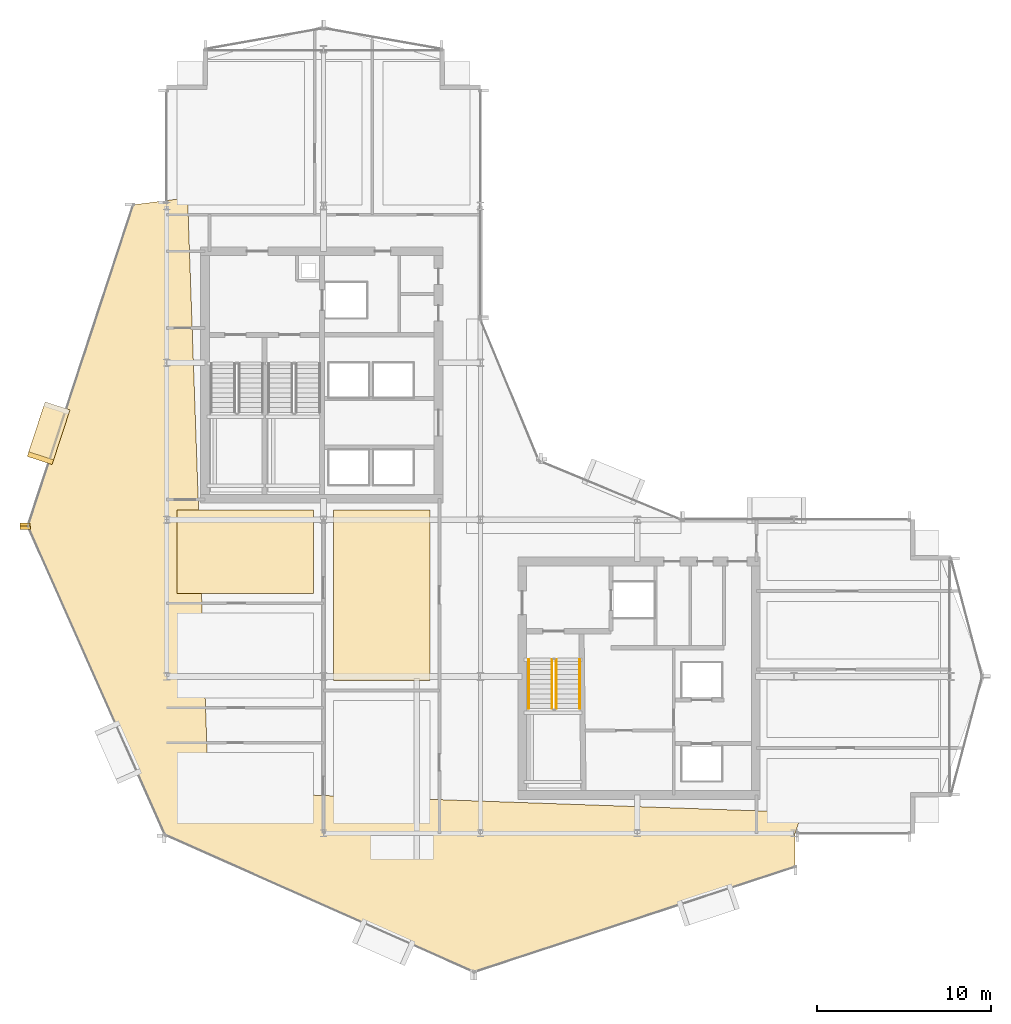
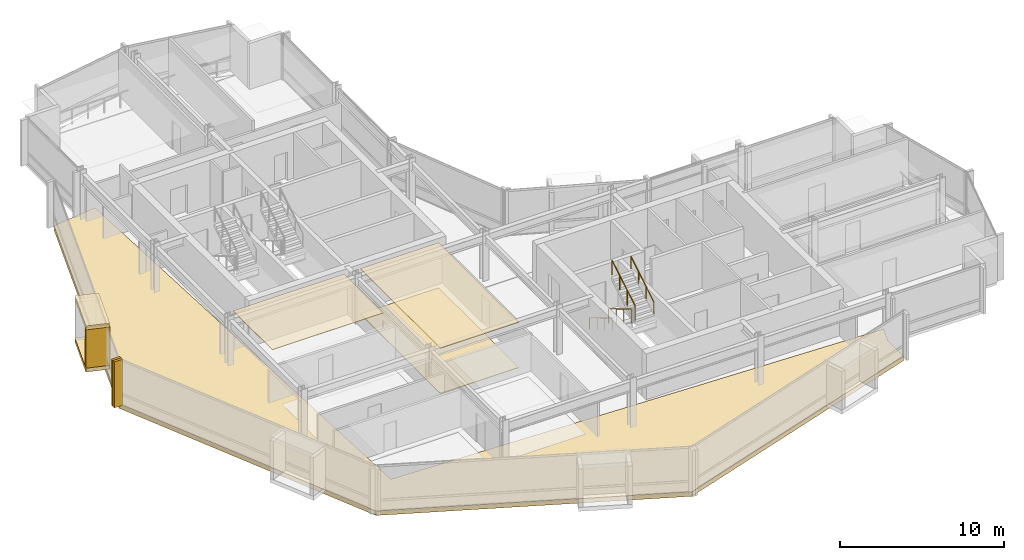
# One storey, part 26 of 29: 9 coverings, 4 railings.
"""IFC4 building model written with IfcOpenShell, lengths in metres."""

from ifc_helpers import new_model, si_unit, direction, frame, origin, origin_2d, place, context, subcontext, project, spatial, polyline, rectangle, circle, outline, extrude, material, layer, layer_set, type_object, element, save


model = new_model("IFC4")

# Units and contexts
model_context = context("Model", 3, precision=1e-05, world=origin(), true_north=direction((0.0, 1.0)))
body_context = subcontext(model_context, "Body", "Model", "MODEL_VIEW")
ifc_project = project(units=[si_unit("LENGTHUNIT", "METRE"), si_unit("AREAUNIT", "SQUARE_METRE"), si_unit("VOLUMEUNIT", "CUBIC_METRE"), si_unit("PLANEANGLEUNIT", "RADIAN"), si_unit("MASSUNIT", "GRAM", prefix="KILO")], contexts=[model_context])

# Site, building, storey
site_placement = place(None, origin())
site = spatial("IfcSite", under=ifc_project, at=site_placement, CompositionType="ELEMENT")
building_placement = place(site_placement, origin())
building = spatial("IfcBuilding", under=site, at=building_placement, Name="Solvaryn Broadcast Tower", CompositionType="ELEMENT")
storey_placement = place(building_placement, frame((0.0, 0.0, 139.60009765625)))
storey = spatial("IfcBuildingStorey", under=building, at=storey_placement, Name="L34", CompositionType="ELEMENT", Elevation=139.60009765625)

# Coverings
ifc_material_1 = material(Name="Micro-Perforated Acoustic Gypsum Ceiling", Category="concrete")
ifc_layer_1 = layer(ifc_material_1, 0.0400390625)
ifc_layer_set_1 = layer_set([ifc_layer_1], Name="CV-CEIL-ACOUSTIC")
covering_type_1 = type_object("IfcCoveringType", Name="CV-CEIL-ACOUSTIC", PredefinedType="CEILING", material=ifc_layer_set_1)
covering_1_placement = place(storey_placement, frame((0.0, 0.0, 3.3798828125)))
element("IfcCovering", 1, at=covering_1_placement, inside=storey, type_object=covering_type_1, Name="L34 Room Acoustic Ceiling 2", PredefinedType="CEILING", context=body_context, shape_type="SweptSolid", body=[
    extrude(outline(polyline([(18.570068359375, 17.77001953125), (24.10009765625, 17.77001953125), (24.10009765625, 27.56005859375), (18.570068359375, 27.56005859375), (18.570068359375, 17.77001953125)])), origin(), (0.0, 0.0, 1.0), 0.0400390625),
])
covering_2_placement = place(storey_placement, frame((0.0, 0.0, 3.3798828125)))
element("IfcCovering", 2, at=covering_2_placement, inside=storey, type_object=covering_type_1, Name="L34 Room Acoustic Ceiling 5", PredefinedType="CEILING", context=body_context, shape_type="SweptSolid", body=[
    extrude(outline(polyline([(9.60009765625, 22.77001953125), (17.429931640625, 22.77001953125), (17.429931640625, 27.56005859375), (9.60009765625, 27.56005859375), (9.60009765625, 22.77001953125)])), origin(), (0.0, 0.0, 1.0), 0.0400390625),
])
ifc_material_2 = material(Name="Newsroom Raised Data Access Flooring", Category="steel")
ifc_layer_2 = layer(ifc_material_2, 0.050048828125)
ifc_layer_set_2 = layer_set([ifc_layer_2], Name="CV-FLOOR-RAISED")
covering_type_2 = type_object("IfcCoveringType", Name="CV-FLOOR-RAISED", PredefinedType="FLOORING", material=ifc_layer_set_2)
covering_3_placement = place(storey_placement, origin())
element("IfcCovering", 3, at=covering_3_placement, inside=storey, type_object=covering_type_2, Name="L34 Room Acoustic Floor Finish 2", PredefinedType="FLOORING", context=body_context, shape_type="SweptSolid", body=[
    extrude(outline(polyline([(18.570068359375, 17.77001953125), (24.10009765625, 17.77001953125), (24.10009765625, 27.56005859375), (18.570068359375, 27.56005859375), (18.570068359375, 17.77001953125)])), origin(), (0.0, 0.0, 1.0), 0.0498046875),
])
ifc_material_3 = material(Name="Glazed Architectural Terracotta Rainscreen Cladding", Category="masonry")
ifc_layer_3 = layer(ifc_material_3, 0.280029296875)
ifc_layer_set_3 = layer_set([ifc_layer_3], Name="CV-TC-CLAD")
covering_type_3 = type_object("IfcCoveringType", Name="CV-TC-CLAD", PredefinedType="CLADDING", material=ifc_layer_set_3)
for number, where, z_axis, x_axis, name in (
    (4, (2.222900390625, 31.9619140625, 3.1298828125), (0.0, 0.0, 1.0), (-0.311671636848, -0.950189870912, 0.0), "L34 Projecting Stone Window Box Hood 1"),
    (5, (2.222900390625, 31.9619140625, -0.01025390625), (0.0, 0.0, 1.0), (-0.311671636848, -0.950189870912, 0.0), "L34 Projecting Stone Window Box Sill 1"),
):
    element("IfcCovering", number, at=place(storey_placement, frame(where, z_axis=z_axis, x_axis=x_axis)), inside=storey, type_object=covering_type_3, Name=name, PredefinedType="CLADDING", context=body_context, shape_type="SweptSolid", body=[
        extrude(rectangle(XDim=3.300048828125, YDim=1.5, at=origin_2d()), origin(), (0.0, 0.0, 1.0), 0.300048828125),
    ])
covering_4_placement = place(storey_placement, frame((1.75244140625, 30.527099609375, 0.27978515625), z_axis=(0.0, 0.0, 1.0), x_axis=(-0.311671636848, -0.950189870912, 0.0)))
element("IfcCovering", 6, at=covering_4_placement, inside=storey, type_object=covering_type_3, Name="L34 Projecting Stone Window Box Cheek 1-2", PredefinedType="CLADDING", context=body_context, shape_type="SweptSolid", body=[
    extrude(rectangle(XDim=0.280029296875, YDim=1.5, at=origin_2d()), origin(), (0.0, 0.0, 1.0), 2.860107421875),
])
ifc_material_4 = material(Name="Extruded Architectural Terracotta Fin", Category="masonry")
ifc_layer_4 = layer(ifc_material_4, 0.179931640625)
ifc_layer_set_4 = layer_set([ifc_layer_4], Name="CV-TC-FIN")
covering_type_4 = type_object("IfcCoveringType", Name="CV-TC-FIN", PredefinedType="USERDEFINED", material=ifc_layer_set_4)
for number, where, z_axis, x_axis, name in (
    (7, (0.872314453125, 26.720703125, 0.0), (0.0, 0.0, 1.0), (1.0, 0.0, 0.0), "L34 Terracotta Vertical Fin FIN-L34-DR1-M01"),
    (8, (0.8818359375, 26.535888671875, 0.0), (0.0, 0.0, 1.0), (1.0, 0.0, 0.0), "L34 Terracotta Vertical Fin FIN-L34-DR2-M00"),
):
    element("IfcCovering", number, at=place(storey_placement, frame(where, z_axis=z_axis, x_axis=x_axis)), inside=storey, type_object=covering_type_4, Name=name, ObjectType="FIN", PredefinedType="USERDEFINED", context=body_context, shape_type="SweptSolid", body=[
        extrude(rectangle(XDim=0.580078125, YDim=0.179931640625, at=origin_2d()), origin(), (0.0, 0.0, 1.0), 3.419921875),
    ])
ifc_material_5 = material(Name="Sculpted Architectural Terracotta Wave Fascia", Category="masonry")
ifc_layer_5 = layer(ifc_material_5, 0.340087890625)
ifc_layer_set_5 = layer_set([ifc_layer_5], Name="CV-WAVE-TRAY")
covering_type_5 = type_object("IfcCoveringType", Name="CV-WAVE-TRAY", PredefinedType="CLADDING", material=ifc_layer_set_5)
covering_5_placement = place(storey_placement, frame((0.0, 0.0, -0.300048828125)))
element("IfcCovering", 9, at=covering_5_placement, inside=storey, type_object=covering_type_5, Name="L34 Stepped Cylindrical Drum Floor Apron", PredefinedType="CLADDING", context=body_context, shape_type="SweptSolid", body=[
    extrude(outline(polyline([(10.199951171875, 45.467041015625), (7.0791015625, 45.06689453125), (1.033935546875, 26.635986328125), (8.907958984375, 8.907958984375), (26.635986328125, 1.033935546875), (45.06689453125, 7.0791015625), (45.06689453125, 9.0), (45.467041015625, 10.199951171875), (11.39990234375, 11.39990234375), (10.199951171875, 45.467041015625)])), origin(), (0.0, 0.0, 1.0), 0.329833984375),
])

# Railings
ifc_material_6 = material(Name="Painted Steel Stair Well Guard", Category="steel")
railing_type_1 = type_object("IfcRailingType", Name="RL-STAIR-GUARD", PredefinedType="BALUSTRADE", material=ifc_material_6)
railing_1_placement = place(storey_placement, frame((31.110107421875, 18.9599609375, 0.16796875)))
element("IfcRailing", 10, at=railing_1_placement, inside=storey, type_object=railing_type_1, Name="L34 ST3 stair guard 1", PredefinedType="BALUSTRADE", context=body_context, shape_type="SweptSolid", body=[
    extrude(circle(Radius=0.02392578125, at=origin_2d()), frame((0.0, 0.0, 1.076171875), z_axis=(0.0, -0.857242210791, 0.514913383045), x_axis=(1.0, 0.0, 0.0)), (0.0, 0.0, 1.0), 3.266357421875),
    extrude(circle(Radius=0.02099609375, at=origin_2d()), origin(), (0.0, 0.0, 1.0), 1.052001953125),
    extrude(circle(Radius=0.02099609375, at=origin_2d()), frame((0.0, -0.933349609375, 0.560546875)), (0.0, 0.0, 1.0), 1.052001953125),
    extrude(circle(Radius=0.02099609375, at=origin_2d()), frame((0.0, -1.86669921875, 1.121337890625)), (0.0, 0.0, 1.0), 1.052001953125),
    extrude(circle(Radius=0.02099609375, at=origin_2d()), frame((0.0, -2.800048828125, 1.681884765625)), (0.0, 0.0, 1.0), 1.052001953125),
])
railing_2_placement = place(storey_placement, frame((31.360107421875, 16.159912109375, 2.01806640625)))
element("IfcRailing", 11, at=railing_2_placement, inside=storey, type_object=railing_type_1, Name="L34 ST3 stair guard 3", PredefinedType="BALUSTRADE", context=body_context, shape_type="SweptSolid", body=[
    extrude(circle(Radius=0.02392578125, at=origin_2d()), frame((0.0, 0.0, 1.076171875), z_axis=(0.0, 0.857242210791, 0.514913383045), x_axis=(-1.0, 0.0, 0.0)), (0.0, 0.0, 1.0), 3.266357421875),
    extrude(circle(Radius=0.02099609375, at=origin_2d()), origin(), (0.0, 0.0, 1.0), 1.052001953125),
    extrude(circle(Radius=0.02099609375, at=origin_2d()), frame((0.0, 0.933349609375, 0.560546875)), (0.0, 0.0, 1.0), 1.052001953125),
    extrude(circle(Radius=0.02099609375, at=origin_2d()), frame((0.0, 1.86669921875, 1.121337890625)), (0.0, 0.0, 1.0), 1.052001953125),
    extrude(circle(Radius=0.02099609375, at=origin_2d()), frame((0.0, 2.800048828125, 1.681884765625)), (0.0, 0.0, 1.0), 1.052001953125),
])
ifc_material_7 = material(Name="Brushed Stainless Steel Tubular Handrail", Category="steel")
railing_type_2 = type_object("IfcRailingType", Name="RL-STAIR-HANDRAIL", PredefinedType="HANDRAIL", material=ifc_material_7)
railing_3_placement = place(storey_placement, frame((29.77001953125, 18.9599609375, 0.16796875)))
element("IfcRailing", 12, at=railing_3_placement, inside=storey, type_object=railing_type_2, Name="L34 ST3 stair handrail 1", PredefinedType="HANDRAIL", context=body_context, shape_type="SweptSolid", body=[
    extrude(circle(Radius=0.02392578125, at=origin_2d()), frame((0.0, 0.0, 0.8759765625), z_axis=(0.0, -0.857242210791, 0.514913383045), x_axis=(1.0, 0.0, 0.0)), (0.0, 0.0, 1.0), 3.266357421875),
    extrude(circle(Radius=0.02099609375, at=origin_2d()), origin(), (0.0, 0.0, 1.0), 0.851806640625),
    extrude(circle(Radius=0.02099609375, at=origin_2d()), frame((0.0, -0.933349609375, 0.560546875)), (0.0, 0.0, 1.0), 0.851806640625),
    extrude(circle(Radius=0.02099609375, at=origin_2d()), frame((0.0, -1.86669921875, 1.121337890625)), (0.0, 0.0, 1.0), 0.851806640625),
    extrude(circle(Radius=0.02099609375, at=origin_2d()), frame((0.0, -2.800048828125, 1.681884765625)), (0.0, 0.0, 1.0), 0.851806640625),
])
railing_4_placement = place(storey_placement, frame((32.699951171875, 16.159912109375, 2.01806640625)))
element("IfcRailing", 13, at=railing_4_placement, inside=storey, type_object=railing_type_2, Name="L34 ST3 stair handrail 2", PredefinedType="HANDRAIL", context=body_context, shape_type="SweptSolid", body=[
    extrude(circle(Radius=0.02392578125, at=origin_2d()), frame((0.0, 0.0, 0.8759765625), z_axis=(0.0, 0.857242210791, 0.514913383045), x_axis=(-1.0, 0.0, 0.0)), (0.0, 0.0, 1.0), 3.266357421875),
    extrude(circle(Radius=0.02099609375, at=origin_2d()), origin(), (0.0, 0.0, 1.0), 0.851806640625),
    extrude(circle(Radius=0.02099609375, at=origin_2d()), frame((0.0, 0.933349609375, 0.560546875)), (0.0, 0.0, 1.0), 0.851806640625),
    extrude(circle(Radius=0.02099609375, at=origin_2d()), frame((0.0, 1.86669921875, 1.121337890625)), (0.0, 0.0, 1.0), 0.851806640625),
    extrude(circle(Radius=0.02099609375, at=origin_2d()), frame((0.0, 2.800048828125, 1.681884765625)), (0.0, 0.0, 1.0), 0.851806640625),
])

save(model, "model.ifc")
